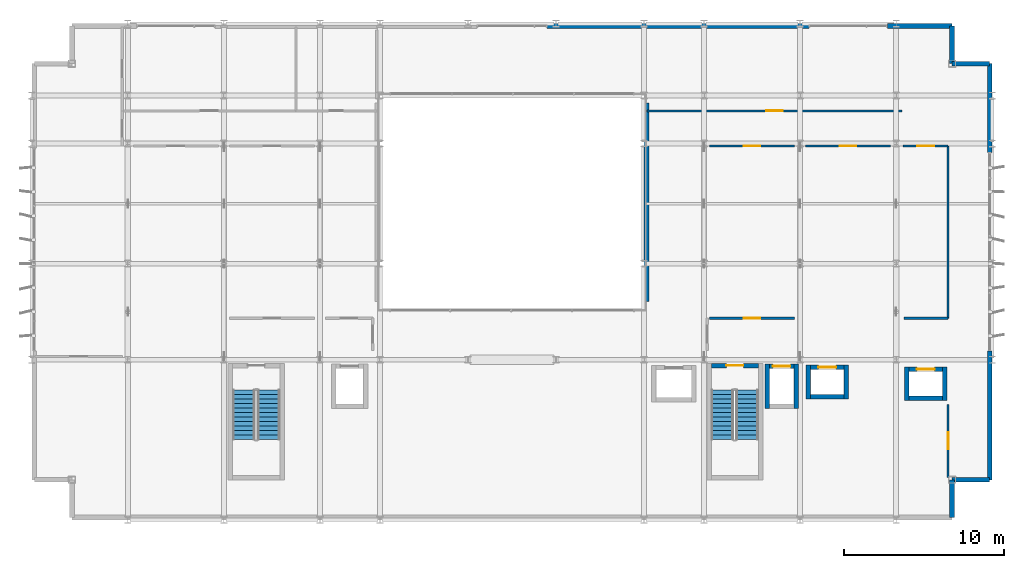
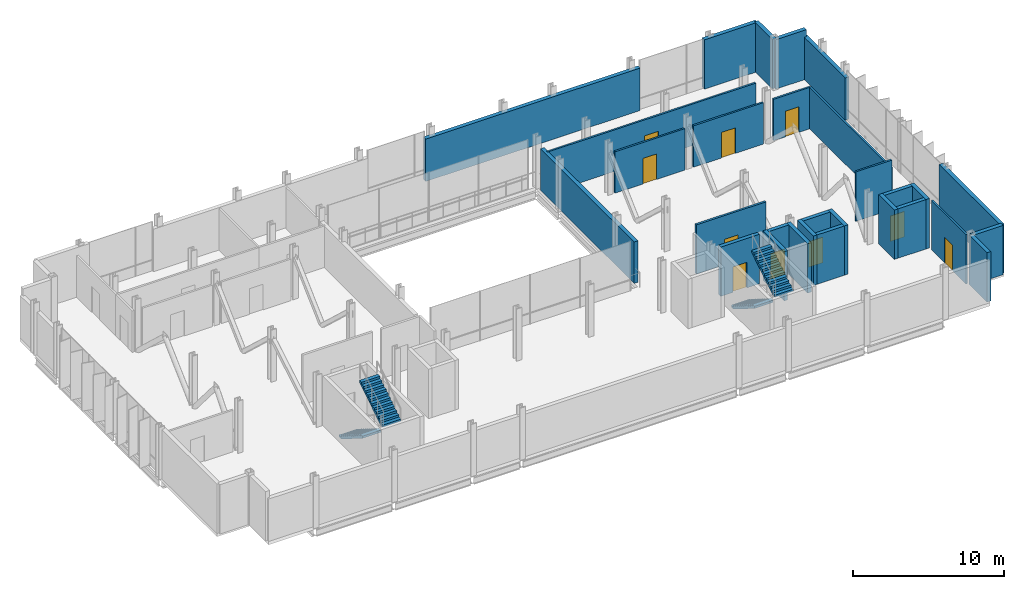
# One storey, part 27 of 32: 29 walls, 10 doors, 4 stair flights, 10 openings, 2 elements without a shape of their own.
"""IFC4 building model written with IfcOpenShell, lengths in metres."""

from ifc_helpers import new_model, si_unit, direction, frame, frame_2d, origin, place, context, subcontext, project, spatial, polyline, rectangle, outline, extrude, material, layer, layer_set, type_object, element, fill, aggregate, save


model = new_model("IFC4")

# Units and contexts
model_context = context("Model", 3, precision=1e-05, world=origin(), true_north=direction((0.0, 1.0)))
body_context = subcontext(model_context, "Body", "Model", "MODEL_VIEW")
ifc_project = project(units=[si_unit("LENGTHUNIT", "METRE"), si_unit("AREAUNIT", "SQUARE_METRE"), si_unit("VOLUMEUNIT", "CUBIC_METRE"), si_unit("PLANEANGLEUNIT", "RADIAN"), si_unit("MASSUNIT", "GRAM", prefix="KILO")], contexts=[model_context])

# Site, building, storey
site_placement = place(None, origin())
site = spatial("IfcSite", under=ifc_project, at=site_placement, CompositionType="ELEMENT")
building_placement = place(site_placement, origin())
building = spatial("IfcBuilding", under=site, at=building_placement, Name="Brevholm Reach", CompositionType="ELEMENT")
storey_placement = place(building_placement, frame((0.0, 0.0, 96.199951171875)))
storey = spatial("IfcBuildingStorey", under=building, at=storey_placement, Name="L28", CompositionType="ELEMENT", Elevation=96.199951171875)

# Wall, opening, door
ifc_material_1 = material(Name="Concrete C50/60", Category="concrete")
ifc_layer_1 = layer(ifc_material_1, 0.280029296875)
ifc_layer_set_1 = layer_set([ifc_layer_1], Name="Concrete C50/60")
wall_type_1 = type_object("IfcWallType", Name="WAL-COR-280", PredefinedType="SHEAR", material=ifc_layer_set_1)
wall_1_placement = place(storey_placement, frame((45.39990234375, 9.639892578125, 0.0), z_axis=(0.0, 0.0, 1.0), x_axis=(-1.0, 0.0, 0.0)))
wall_1 = element("IfcWall", 1, at=wall_1_placement, inside=storey, type_object=wall_type_1, Name="L28 Escape Stair ST-2 Core Wall N", PredefinedType="SHEAR", context=body_context, shape_type="SweptSolid", body=[
    extrude(rectangle(XDim=2.949951171875, YDim=0.280029296875, at=frame_2d((1.47509765625, 0.0))), origin(), (0.0, 0.0, 1.0), 3.97998046875),
])
opening_1_placement = place(wall_1_placement, frame((0.949951171875, 0.0, 0.0)))
opening_1 = element("IfcOpeningElement", 2, at=opening_1_placement, cuts=wall_1, Name="Opening SD-ST-2", PredefinedType="OPENING", context=body_context, shape_type="SweptSolid", body=[
    extrude(rectangle(XDim=1.050048828125, YDim=2.06005859375, at=frame_2d((0.52490234375, 1.030029296875))), frame((0.0, 0.14990234375, 0.0), z_axis=(0.0, -1.0, 0.0), x_axis=(1.0, 0.0, 0.0)), (0.0, 0.0, 1.0), 0.300048828125),
])
ifc_material_2 = material(Name="Hardwood-Lipped Steel-Core Fire and Smoke Door", Category="steel")
door_type_1 = type_object("IfcDoorType", Name="DOR-INT-FD60S", OperationType="NOTDEFINED", PredefinedType="DOOR", material=ifc_material_2)
door_1_placement = place(opening_1_placement, origin())
door_1 = element("IfcDoor", 3, at=door_1_placement, inside=storey, type_object=door_type_1, Name="L28 Protected Stair ST-2 Lobby Door", OperationType="SINGLE_SWING_LEFT", OverallHeight=2.06005859375, OverallWidth=1.050048828125, PredefinedType="DOOR", context=body_context, shape_type="SweptSolid", body=[
    extrude(rectangle(XDim=1.050048828125, YDim=2.06005859375, at=frame_2d((0.52490234375, 1.030029296875))), frame((0.0, 0.02490234375, 0.0), z_axis=(0.0, -1.0, 0.0), x_axis=(1.0, 0.0, 0.0)), (0.0, 0.0, 1.0), 0.050048828125),
])
fill(opening_1, door_1)

# Walls
for number, where, z_axis, x_axis, name in (
    (4, (45.949951171875, 6.9599609375, 0.0), (0.0, 0.0, 1.0), (0.0, 1.0, 0.0), "L28 Lift FFL-2 Shaft Wall W"),
    (5, (47.75, 6.9599609375, 0.0), (0.0, 0.0, 1.0), (0.0, 1.0, 0.0), "L28 Lift FFL-2 Shaft Wall E"),
):
    element("IfcWall", number, at=place(storey_placement, frame(where, z_axis=z_axis, x_axis=x_axis)), inside=storey, type_object=wall_type_1, Name=name, PredefinedType="SHEAR", context=body_context, shape_type="SweptSolid", body=[
        extrude(rectangle(XDim=2.780029296875, YDim=0.280029296875, at=frame_2d((1.39013671875, 0.0))), origin(), (0.0, 0.0, 1.0), 3.97998046875),
    ])

# Wall, opening, door
wall_2_placement = place(storey_placement, frame((46.090087890625, 9.60009765625, 0.0), z_axis=(0.0, 0.0, 1.0), x_axis=(1.0, 0.0, 0.0)))
wall_2 = element("IfcWall", 6, at=wall_2_placement, inside=storey, type_object=wall_type_1, Name="L28 Lift FFL-2 Shaft Wall N", PredefinedType="SHEAR", context=body_context, shape_type="SweptSolid", body=[
    extrude(rectangle(XDim=1.52001953125, YDim=0.280029296875, at=frame_2d((0.760009765625, 0.0))), origin(), (0.0, 0.0, 1.0), 3.97998046875),
])
opening_2_placement = place(wall_2_placement, frame((0.2099609375, 0.0, 0.0)))
opening_2 = element("IfcOpeningElement", 7, at=opening_2_placement, cuts=wall_2, Name="Opening LD-FFL-2", PredefinedType="OPENING", context=body_context, shape_type="SweptSolid", body=[
    extrude(rectangle(XDim=1.10009765625, YDim=2.06005859375, at=frame_2d((0.550048828125, 1.030029296875))), frame((0.0, 0.14990234375, 0.0), z_axis=(0.0, -1.0, 0.0), x_axis=(1.0, 0.0, 0.0)), (0.0, 0.0, 1.0), 0.300048828125),
])
ifc_material_3 = material(Name="Brushed Stainless Steel Fire-Rated Sliding Lift Door", Category="steel")
door_type_2 = type_object("IfcDoorType", Name="DOR-LFT-1100", OperationType="NOTDEFINED", PredefinedType="DOOR", material=ifc_material_3)
door_2_placement = place(opening_2_placement, origin())
door_2 = element("IfcDoor", 8, at=door_2_placement, inside=storey, type_object=door_type_2, Name="L28 Lift FFL-2 Sliding Landing Door", OperationType="SLIDING_TO_LEFT", OverallHeight=2.06005859375, OverallWidth=1.10009765625, PredefinedType="DOOR", context=body_context, shape_type="SweptSolid", body=[
    extrude(rectangle(XDim=1.10009765625, YDim=2.06005859375, at=frame_2d((0.550048828125, 1.030029296875))), frame((0.0, 0.02490234375, 0.0), z_axis=(0.0, -1.0, 0.0), x_axis=(1.0, 0.0, 0.0)), (0.0, 0.0, 1.0), 0.050048828125),
])
fill(opening_2, door_2)

# Walls
for number, where, z_axis, x_axis, name in (
    (9, (48.52490234375, 7.534912109375, 0.0), (0.0, 0.0, 1.0), (0.0, 1.0, 0.0), "L28 Lift PL-L1 Shaft Wall W"),
    (10, (50.875, 7.534912109375, 0.0), (0.0, 0.0, 1.0), (0.0, 1.0, 0.0), "L28 Lift PL-L1 Shaft Wall E"),
):
    element("IfcWall", number, at=place(storey_placement, frame(where, z_axis=z_axis, x_axis=x_axis)), inside=storey, type_object=wall_type_1, Name=name, PredefinedType="SHEAR", context=body_context, shape_type="SweptSolid", body=[
        extrude(rectangle(XDim=2.130126953125, YDim=0.280029296875, at=frame_2d((1.06494140625, 0.0))), origin(), (0.0, 0.0, 1.0), 3.97998046875),
    ])
wall_3_placement = place(storey_placement, frame((48.6650390625, 7.675048828125, 0.0), z_axis=(0.0, 0.0, 1.0), x_axis=(1.0, 0.0, 0.0)))
element("IfcWall", 11, at=wall_3_placement, inside=storey, type_object=wall_type_1, Name="L28 Lift PL-L1 Shaft Wall S", PredefinedType="SHEAR", context=body_context, shape_type="SweptSolid", body=[
    extrude(rectangle(XDim=2.070068359375, YDim=0.280029296875, at=frame_2d((1.03515625, 0.0))), origin(), (0.0, 0.0, 1.0), 3.97998046875),
])

# Wall, opening, door
wall_4_placement = place(storey_placement, frame((48.6650390625, 9.52490234375, 0.0), z_axis=(0.0, 0.0, 1.0), x_axis=(1.0, 0.0, 0.0)))
wall_4 = element("IfcWall", 12, at=wall_4_placement, inside=storey, type_object=wall_type_1, Name="L28 Lift PL-L1 Shaft Wall N", PredefinedType="SHEAR", context=body_context, shape_type="SweptSolid", body=[
    extrude(rectangle(XDim=2.070068359375, YDim=0.280029296875, at=frame_2d((1.03515625, 0.0))), origin(), (0.0, 0.0, 1.0), 3.97998046875),
])
opening_3_placement = place(wall_4_placement, frame((0.485107421875, 0.0, 0.0)))
opening_3 = element("IfcOpeningElement", 13, at=opening_3_placement, cuts=wall_4, Name="Opening LD-PL-L1", PredefinedType="OPENING", context=body_context, shape_type="SweptSolid", body=[
    extrude(rectangle(XDim=1.10009765625, YDim=2.06005859375, at=frame_2d((0.550048828125, 1.030029296875))), frame((0.0, 0.14990234375, 0.0), z_axis=(0.0, -1.0, 0.0), x_axis=(1.0, 0.0, 0.0)), (0.0, 0.0, 1.0), 0.300048828125),
])
door_3_placement = place(opening_3_placement, origin())
door_3 = element("IfcDoor", 14, at=door_3_placement, inside=storey, type_object=door_type_2, Name="L28 Lift PL-L1 Sliding Landing Door", OperationType="SLIDING_TO_RIGHT", OverallHeight=2.06005859375, OverallWidth=1.10009765625, PredefinedType="DOOR", context=body_context, shape_type="SweptSolid", body=[
    extrude(rectangle(XDim=1.10009765625, YDim=2.06005859375, at=frame_2d((0.550048828125, 1.030029296875))), frame((0.0, 0.02490234375, 0.0), z_axis=(0.0, -1.0, 0.0), x_axis=(1.0, 0.0, 0.0)), (0.0, 0.0, 1.0), 0.050048828125),
])
fill(opening_3, door_3)

# Walls
for number, where, z_axis, x_axis, name in (
    (15, (54.64990234375, 7.4599609375, 0.0), (0.0, 0.0, 1.0), (0.0, 1.0, 0.0), "L28 Lift PL-L2 Shaft Wall W"),
    (16, (57.050048828125, 7.4599609375, 0.0), (0.0, 0.0, 1.0), (0.0, 1.0, 0.0), "L28 Lift PL-L2 Shaft Wall E"),
):
    element("IfcWall", number, at=place(storey_placement, frame(where, z_axis=z_axis, x_axis=x_axis)), inside=storey, type_object=wall_type_1, Name=name, PredefinedType="SHEAR", context=body_context, shape_type="SweptSolid", body=[
        extrude(rectangle(XDim=2.080078125, YDim=0.280029296875, at=frame_2d((1.0400390625, 0.0))), origin(), (0.0, 0.0, 1.0), 3.97998046875),
    ])
wall_5_placement = place(storey_placement, frame((54.7900390625, 7.60009765625, 0.0), z_axis=(0.0, 0.0, 1.0), x_axis=(1.0, 0.0, 0.0)))
element("IfcWall", 17, at=wall_5_placement, inside=storey, type_object=wall_type_1, Name="L28 Lift PL-L2 Shaft Wall S", PredefinedType="SHEAR", context=body_context, shape_type="SweptSolid", body=[
    extrude(rectangle(XDim=2.119873046875, YDim=0.280029296875, at=frame_2d((1.06005859375, 0.0))), origin(), (0.0, 0.0, 1.0), 3.97998046875),
])

# Wall, opening, door
wall_6_placement = place(storey_placement, frame((54.7900390625, 9.39990234375, 0.0), z_axis=(0.0, 0.0, 1.0), x_axis=(1.0, 0.0, 0.0)))
wall_6 = element("IfcWall", 18, at=wall_6_placement, inside=storey, type_object=wall_type_1, Name="L28 Lift PL-L2 Shaft Wall N", PredefinedType="SHEAR", context=body_context, shape_type="SweptSolid", body=[
    extrude(rectangle(XDim=2.119873046875, YDim=0.280029296875, at=frame_2d((1.06005859375, 0.0))), origin(), (0.0, 0.0, 1.0), 3.97998046875),
])
opening_4_placement = place(wall_6_placement, frame((0.510009765625, 0.0, 0.0)))
opening_4 = element("IfcOpeningElement", 19, at=opening_4_placement, cuts=wall_6, Name="Opening LD-PL-L2", PredefinedType="OPENING", context=body_context, shape_type="SweptSolid", body=[
    extrude(rectangle(XDim=1.10009765625, YDim=2.06005859375, at=frame_2d((0.550048828125, 1.030029296875))), frame((0.0, 0.14990234375, 0.0), z_axis=(0.0, -1.0, 0.0), x_axis=(1.0, 0.0, 0.0)), (0.0, 0.0, 1.0), 0.300048828125),
])
door_4_placement = place(opening_4_placement, origin())
door_4 = element("IfcDoor", 20, at=door_4_placement, inside=storey, type_object=door_type_2, Name="L28 Lift PL-L2 Sliding Landing Door", OperationType="SLIDING_TO_LEFT", OverallHeight=2.06005859375, OverallWidth=1.10009765625, PredefinedType="DOOR", context=body_context, shape_type="SweptSolid", body=[
    extrude(rectangle(XDim=1.10009765625, YDim=2.06005859375, at=frame_2d((0.550048828125, 1.030029296875))), frame((0.0, 0.02490234375, 0.0), z_axis=(0.0, -1.0, 0.0), x_axis=(1.0, 0.0, 0.0)), (0.0, 0.0, 1.0), 0.050048828125),
])
fill(opening_4, door_4)

# Walls
ifc_material_4 = material(Name="Concrete C40/50", Category="concrete")
ifc_layer_2 = layer(ifc_material_4, 0.300048828125)
ifc_layer_set_2 = layer_set([ifc_layer_2], Name="Concrete C40/50")
wall_type_2 = type_object("IfcWallType", Name="WAL-EXT-300", PredefinedType="STANDARD", material=ifc_layer_set_2)
for number, where, z_axis, x_axis, name in (
    (21, (57.5, 0.14990234375, 0.0), (0.0, 0.0, 1.0), (0.0, 1.0, 0.0), "L28 Facade Wall WAL-L28-CSE1"),
    (22, (57.5, 2.5, 0.0), (0.0, 0.0, 1.0), (1.0, 0.0, 0.0), "L28 Facade Wall WAL-L28-CSE2"),
    (23, (59.85009765625, 28.5, 0.0), (0.0, 0.0, 1.0), (-1.0, 0.0, 0.0), "L28 Facade Wall WAL-L28-CNE1"),
    (24, (57.5, 28.5, 0.0), (0.0, 0.0, 1.0), (0.0, 1.0, 0.0), "L28 Facade Wall WAL-L28-CNE2"),
):
    element("IfcWall", number, at=place(storey_placement, frame(where, z_axis=z_axis, x_axis=x_axis)), inside=storey, type_object=wall_type_2, Name=name, PredefinedType="STANDARD", context=body_context, shape_type="SweptSolid", body=[
        extrude(rectangle(XDim=2.35009765625, YDim=0.300048828125, at=frame_2d((1.175048828125, 0.0))), origin(), (0.0, 0.0, 1.0), 3.97998046875),
    ])
wall_7_placement = place(storey_placement, frame((59.85009765625, 2.5, 0.0), z_axis=(0.0, 0.0, 1.0), x_axis=(0.0, 1.0, 0.0)))
element("IfcWall", 25, at=wall_7_placement, inside=storey, type_object=wall_type_2, Name="L28 Facade Wall WAL-L28-E-S", PredefinedType="STANDARD", context=body_context, shape_type="SweptSolid", body=[
    extrude(rectangle(XDim=8.050048828125, YDim=0.300048828125, at=frame_2d((4.02490234375, 0.0))), origin(), (0.0, 0.0, 1.0), 3.97998046875),
])
wall_8_placement = place(storey_placement, frame((59.85009765625, 22.949951171875, 0.0), z_axis=(0.0, 0.0, 1.0), x_axis=(0.0, 1.0, 0.0)))
element("IfcWall", 26, at=wall_8_placement, inside=storey, type_object=wall_type_2, Name="L28 Facade Wall WAL-L28-E-N", PredefinedType="STANDARD", context=body_context, shape_type="SweptSolid", body=[
    extrude(rectangle(XDim=5.550048828125, YDim=0.300048828125, at=frame_2d((2.77490234375, 0.0))), origin(), (0.0, 0.0, 1.0), 3.421875),
])
wall_9_placement = place(storey_placement, frame((53.449951171875, 30.85009765625, 0.0), z_axis=(0.0, 0.0, 1.0), x_axis=(1.0, 0.0, 0.0)))
element("IfcWall", 27, at=wall_9_placement, inside=storey, type_object=wall_type_2, Name="L28 Facade Wall WAL-L28-NP-E0", PredefinedType="STANDARD", context=body_context, shape_type="SweptSolid", body=[
    extrude(rectangle(XDim=4.050048828125, YDim=0.300048828125, at=frame_2d((2.02490234375, 0.0))), origin(), (0.0, 0.0, 1.0), 3.97998046875),
])
wall_10_placement = place(storey_placement, frame((32.199951171875, 30.85009765625, 0.0), z_axis=(0.0, 0.0, 1.0), x_axis=(1.0, 0.0, 0.0)))
element("IfcWall", 28, at=wall_10_placement, inside=storey, type_object=wall_type_2, Name="L28 Facade Wall WAL-L28-NP-ER", PredefinedType="STANDARD", context=body_context, shape_type="SweptSolid", body=[
    extrude(rectangle(XDim=16.35009765625, YDim=0.300048828125, at=frame_2d((8.175048828125, 0.0))), origin(), (0.0, 0.0, 1.0), 3.421875),
])
wall_11_placement = place(storey_placement, frame((38.39990234375, 13.64990234375, 0.0), z_axis=(0.0, 0.0, 1.0), x_axis=(0.0, 1.0, 0.0)))
element("IfcWall", 29, at=wall_11_placement, inside=storey, type_object=wall_type_2, Name="L28 Facade Wall WAL-L28-AT-E", PredefinedType="STANDARD", context=body_context, shape_type="SweptSolid", body=[
    extrude(rectangle(XDim=12.400146484375, YDim=0.300048828125, at=frame_2d((6.2001953125, 0.0))), origin(), (0.0, 0.0, 1.0), 3.3427734375),
])

# Wall, opening, door
ifc_material_5 = material(Name="Twin-Stud Acoustic Fire-Rated Gypsum Partition 140 mm", Category="gypsum")
ifc_layer_3 = layer(ifc_material_5, 0.139892578125)
ifc_layer_set_3 = layer_set([ifc_layer_3], Name="Twin-Stud Acoustic Fire-Rated Gypsum Partition 140 mm")
wall_type_3 = type_object("IfcWallType", Name="WAL-PRT-140", PredefinedType="PARTITIONING", material=ifc_layer_set_3)
wall_12_placement = place(storey_placement, frame((38.449951171875, 25.550048828125, 0.0), z_axis=(0.0, 0.0, 1.0), x_axis=(1.0, 0.0, 0.0)))
wall_12 = element("IfcWall", 30, at=wall_12_placement, inside=storey, type_object=wall_type_3, Name="L28 Internal Partition 011", PredefinedType="PARTITIONING", context=body_context, shape_type="SweptSolid", body=[
    extrude(rectangle(XDim=15.911376953125, YDim=0.139892578125, at=frame_2d((7.95556640625, 0.0))), origin(), (0.0, 0.0, 1.0), 3.3427734375),
])
opening_5_placement = place(wall_12_placement, frame((7.4306640625, 0.0, 0.0)))
opening_5 = element("IfcOpeningElement", 31, at=opening_5_placement, cuts=wall_12, Name="Opening FD-01", PredefinedType="OPENING", context=body_context, shape_type="SweptSolid", body=[
    extrude(rectangle(XDim=1.050048828125, YDim=2.06005859375, at=frame_2d((0.52490234375, 1.030029296875))), frame((0.0, 0.079833984375, 0.0), z_axis=(0.0, -1.0, 0.0), x_axis=(1.0, 0.0, 0.0)), (0.0, 0.0, 1.0), 0.159912109375),
])
door_5_placement = place(opening_5_placement, origin())
door_5 = element("IfcDoor", 32, at=door_5_placement, inside=storey, type_object=door_type_1, Name="L28 Internal Door 011", OperationType="SINGLE_SWING_LEFT", OverallHeight=2.06005859375, OverallWidth=1.050048828125, PredefinedType="DOOR", context=body_context, shape_type="SweptSolid", body=[
    extrude(rectangle(XDim=1.050048828125, YDim=2.06005859375, at=frame_2d((0.52490234375, 1.030029296875))), frame((0.0, 0.02490234375, 0.0), z_axis=(0.0, -1.0, 0.0), x_axis=(1.0, 0.0, 0.0)), (0.0, 0.0, 1.0), 0.050048828125),
])
fill(opening_5, door_5)

wall_13_placement = place(storey_placement, frame((42.338623046875, 23.35009765625, 0.0), z_axis=(0.0, 0.0, 1.0), x_axis=(1.0, 0.0, 0.0)))
wall_13 = element("IfcWall", 33, at=wall_13_placement, inside=storey, type_object=wall_type_3, Name="L28 Internal Partition 012", PredefinedType="PARTITIONING", context=body_context, shape_type="SweptSolid", body=[
    extrude(rectangle(XDim=5.32275390625, YDim=0.139892578125, at=frame_2d((2.661376953125, 0.0))), origin(), (0.0, 0.0, 1.0), 3.3427734375),
])
opening_6_placement = place(wall_13_placement, frame((2.13623046875, 0.0, 0.0)))
opening_6 = element("IfcOpeningElement", 34, at=opening_6_placement, cuts=wall_13, Name="Opening FD-01", PredefinedType="OPENING", context=body_context, shape_type="SweptSolid", body=[
    extrude(rectangle(XDim=1.050048828125, YDim=2.06005859375, at=frame_2d((0.52490234375, 1.030029296875))), frame((0.0, 0.079833984375, 0.0), z_axis=(0.0, -1.0, 0.0), x_axis=(1.0, 0.0, 0.0)), (0.0, 0.0, 1.0), 0.159912109375),
])
door_6_placement = place(opening_6_placement, origin())
door_6 = element("IfcDoor", 35, at=door_6_placement, inside=storey, type_object=door_type_1, Name="L28 Internal Door 012", OperationType="SINGLE_SWING_RIGHT", OverallHeight=2.06005859375, OverallWidth=1.050048828125, PredefinedType="DOOR", context=body_context, shape_type="SweptSolid", body=[
    extrude(rectangle(XDim=1.050048828125, YDim=2.06005859375, at=frame_2d((0.52490234375, 1.030029296875))), frame((0.0, 0.02490234375, 0.0), z_axis=(0.0, -1.0, 0.0), x_axis=(1.0, 0.0, 0.0)), (0.0, 0.0, 1.0), 0.050048828125),
])
fill(opening_6, door_6)

wall_14_placement = place(storey_placement, frame((48.338623046875, 23.35009765625, 0.0), z_axis=(0.0, 0.0, 1.0), x_axis=(1.0, 0.0, 0.0)))
wall_14 = element("IfcWall", 36, at=wall_14_placement, inside=storey, type_object=wall_type_3, Name="L28 Internal Partition 013", PredefinedType="PARTITIONING", context=body_context, shape_type="SweptSolid", body=[
    extrude(rectangle(XDim=5.32275390625, YDim=0.139892578125, at=frame_2d((2.661376953125, 0.0))), origin(), (0.0, 0.0, 1.0), 3.3427734375),
])
opening_7_placement = place(wall_14_placement, frame((2.13623046875, 0.0, 0.0)))
opening_7 = element("IfcOpeningElement", 37, at=opening_7_placement, cuts=wall_14, Name="Opening FD-01", PredefinedType="OPENING", context=body_context, shape_type="SweptSolid", body=[
    extrude(rectangle(XDim=1.050048828125, YDim=2.06005859375, at=frame_2d((0.52490234375, 1.030029296875))), frame((0.0, 0.079833984375, 0.0), z_axis=(0.0, -1.0, 0.0), x_axis=(1.0, 0.0, 0.0)), (0.0, 0.0, 1.0), 0.159912109375),
])
door_7_placement = place(opening_7_placement, origin())
door_7 = element("IfcDoor", 38, at=door_7_placement, inside=storey, type_object=door_type_1, Name="L28 Internal Door 013", OperationType="SINGLE_SWING_LEFT", OverallHeight=2.06005859375, OverallWidth=1.050048828125, PredefinedType="DOOR", context=body_context, shape_type="SweptSolid", body=[
    extrude(rectangle(XDim=1.050048828125, YDim=2.06005859375, at=frame_2d((0.52490234375, 1.030029296875))), frame((0.0, 0.02490234375, 0.0), z_axis=(0.0, -1.0, 0.0), x_axis=(1.0, 0.0, 0.0)), (0.0, 0.0, 1.0), 0.050048828125),
])
fill(opening_7, door_7)

wall_15_placement = place(storey_placement, frame((54.438720703125, 23.35009765625, 0.0), z_axis=(0.0, 0.0, 1.0), x_axis=(1.0, 0.0, 0.0)))
wall_15 = element("IfcWall", 39, at=wall_15_placement, inside=storey, type_object=wall_type_3, Name="L28 Internal Partition 014", PredefinedType="PARTITIONING", context=body_context, shape_type="SweptSolid", body=[
    extrude(rectangle(XDim=2.818603515625, YDim=0.139892578125, at=frame_2d((1.4091796875, 0.0))), origin(), (0.0, 0.0, 1.0), 3.3427734375),
])
opening_8_placement = place(wall_15_placement, frame((0.88427734375, 0.0, 0.0)))
opening_8 = element("IfcOpeningElement", 40, at=opening_8_placement, cuts=wall_15, Name="Opening FD-01", PredefinedType="OPENING", context=body_context, shape_type="SweptSolid", body=[
    extrude(rectangle(XDim=1.050048828125, YDim=2.06005859375, at=frame_2d((0.52490234375, 1.030029296875))), frame((0.0, 0.079833984375, 0.0), z_axis=(0.0, -1.0, 0.0), x_axis=(1.0, 0.0, 0.0)), (0.0, 0.0, 1.0), 0.159912109375),
])
door_8_placement = place(opening_8_placement, origin())
door_8 = element("IfcDoor", 41, at=door_8_placement, inside=storey, type_object=door_type_1, Name="L28 Internal Door 014", OperationType="SINGLE_SWING_RIGHT", OverallHeight=2.06005859375, OverallWidth=1.050048828125, PredefinedType="DOOR", context=body_context, shape_type="SweptSolid", body=[
    extrude(rectangle(XDim=1.050048828125, YDim=2.06005859375, at=frame_2d((0.52490234375, 1.030029296875))), frame((0.0, 0.02490234375, 0.0), z_axis=(0.0, -1.0, 0.0), x_axis=(1.0, 0.0, 0.0)), (0.0, 0.0, 1.0), 0.050048828125),
])
fill(opening_8, door_8)

# Wall
wall_16_placement = place(storey_placement, frame((57.25, 12.5927734375, 0.0), z_axis=(0.0, 0.0, 1.0), x_axis=(0.0, 1.0, 0.0)))
element("IfcWall", 42, at=wall_16_placement, inside=storey, type_object=wall_type_3, Name="L28 Internal Partition 015", PredefinedType="PARTITIONING", context=body_context, shape_type="SweptSolid", body=[
    extrude(rectangle(XDim=10.753173828125, YDim=0.139892578125, at=frame_2d((5.37646484375, 0.0))), origin(), (0.0, 0.0, 1.0), 3.3427734375),
])

# Wall, opening, door
wall_17_placement = place(storey_placement, frame((57.25, 2.64990234375, 0.0), z_axis=(0.0, 0.0, 1.0), x_axis=(0.0, 1.0, 0.0)))
wall_17 = element("IfcWall", 43, at=wall_17_placement, inside=storey, type_object=wall_type_3, Name="L28 Internal Partition 016", PredefinedType="PARTITIONING", context=body_context, shape_type="SweptSolid", body=[
    extrude(rectangle(XDim=4.561279296875, YDim=0.139892578125, at=frame_2d((2.28076171875, 0.0))), origin(), (0.0, 0.0, 1.0), 3.97998046875),
])
opening_9_placement = place(wall_17_placement, frame((1.755615234375, 0.0, 0.0)))
opening_9 = element("IfcOpeningElement", 44, at=opening_9_placement, cuts=wall_17, Name="Opening FD-01", PredefinedType="OPENING", context=body_context, shape_type="SweptSolid", body=[
    extrude(rectangle(XDim=1.050048828125, YDim=2.06005859375, at=frame_2d((0.52490234375, 1.030029296875))), frame((0.0, 0.079833984375, 0.0), z_axis=(0.0, -1.0, 0.0), x_axis=(1.0, 0.0, 0.0)), (0.0, 0.0, 1.0), 0.159912109375),
])
door_9_placement = place(opening_9_placement, origin())
door_9 = element("IfcDoor", 45, at=door_9_placement, inside=storey, type_object=door_type_1, Name="L28 Internal Door 015", OperationType="SINGLE_SWING_LEFT", OverallHeight=2.06005859375, OverallWidth=1.050048828125, PredefinedType="DOOR", context=body_context, shape_type="SweptSolid", body=[
    extrude(rectangle(XDim=1.050048828125, YDim=2.06005859375, at=frame_2d((0.52490234375, 1.030029296875))), frame((0.0, 0.02490234375, 0.0), z_axis=(0.0, -1.0, 0.0), x_axis=(1.0, 0.0, 0.0)), (0.0, 0.0, 1.0), 0.050048828125),
])
fill(opening_9, door_9)

# Wall
wall_18_placement = place(storey_placement, frame((54.5, 12.60009765625, 0.0), z_axis=(0.0, 0.0, 1.0), x_axis=(1.0, 0.0, 0.0)))
element("IfcWall", 46, at=wall_18_placement, inside=storey, type_object=wall_type_3, Name="L28 Internal Partition 017", PredefinedType="PARTITIONING", context=body_context, shape_type="SweptSolid", body=[
    extrude(rectangle(XDim=2.74609375, YDim=0.139892578125, at=frame_2d((1.373046875, 0.0))), origin(), (0.0, 0.0, 1.0), 3.97998046875),
])

# Wall, opening, door
ifc_material_6 = material(Name="Twin-Frame Fire-Rated Gypsum Board and Mineral Wool 160 mm", Category="gypsum")
ifc_layer_4 = layer(ifc_material_6, 0.159912109375)
ifc_layer_set_4 = layer_set([ifc_layer_4], Name="Twin-Frame Fire-Rated Gypsum Board and Mineral Wool 160 mm")
wall_type_4 = type_object("IfcWallType", Name="WAL-PRT-160", PredefinedType="PARTITIONING", material=ifc_layer_set_4)
wall_19_placement = place(storey_placement, frame((42.338623046875, 12.60009765625, 0.0), z_axis=(0.0, 0.0, 1.0), x_axis=(1.0, 0.0, 0.0)))
wall_19 = element("IfcWall", 47, at=wall_19_placement, inside=storey, type_object=wall_type_4, Name="L28 Internal Partition 004", PredefinedType="PARTITIONING", context=body_context, shape_type="SweptSolid", body=[
    extrude(rectangle(XDim=5.32275390625, YDim=0.159912109375, at=frame_2d((2.661376953125, 0.0))), origin(), (0.0, 0.0, 1.0), 3.97998046875),
])
opening_10_placement = place(wall_19_placement, frame((2.13623046875, 0.0, 0.0)))
opening_10 = element("IfcOpeningElement", 48, at=opening_10_placement, cuts=wall_19, Name="Opening FD-01", PredefinedType="OPENING", context=body_context, shape_type="SweptSolid", body=[
    extrude(rectangle(XDim=1.050048828125, YDim=2.06005859375, at=frame_2d((0.52490234375, 1.030029296875))), frame((0.0, 0.08984375, 0.0), z_axis=(0.0, -1.0, 0.0), x_axis=(1.0, 0.0, 0.0)), (0.0, 0.0, 1.0), 0.179931640625),
])
door_10_placement = place(opening_10_placement, origin())
door_10 = element("IfcDoor", 49, at=door_10_placement, inside=storey, type_object=door_type_1, Name="L28 Internal Door 004", OperationType="SINGLE_SWING_RIGHT", OverallHeight=2.06005859375, OverallWidth=1.050048828125, PredefinedType="DOOR", context=body_context, shape_type="SweptSolid", body=[
    extrude(rectangle(XDim=1.050048828125, YDim=2.06005859375, at=frame_2d((0.52490234375, 1.030029296875))), frame((0.0, 0.02490234375, 0.0), z_axis=(0.0, -1.0, 0.0), x_axis=(1.0, 0.0, 0.0)), (0.0, 0.0, 1.0), 0.050048828125),
])
fill(opening_10, door_10)

# Stair, stair flights
ifc_material_7 = material(Name="Precast Concrete C40/50", Category="concrete")
stair_type = type_object("IfcStairType", Name="STR-ESC-1400", PredefinedType="DOUBLE_RETURN_STAIR", material=ifc_material_7)
stair_1_placement = place(storey_placement, origin())
stair_1 = element("IfcStair", 50, at=stair_1_placement, inside=storey, type_object=stair_type, Name="L28 ST-1", PredefinedType="DOUBLE_RETURN_STAIR")
ifc_material_8 = material(Name="Precast Concrete C40/50", Category="concrete")
ifc_layer_5 = layer(ifc_material_8, 0.18505859375)
ifc_layer_set_5 = layer_set([ifc_layer_5], Name="Precast Concrete C40/50")
stair_flight_type = type_object("IfcStairFlightType", Name="STF-PRC-185", PredefinedType="STRAIGHT", material=ifc_layer_set_5)
stair_flight_1_placement = place(storey_placement, frame((13.25, 8.10009765625, 0.0), z_axis=(0.0, 0.0, 1.0), x_axis=(0.0, -1.0, 0.0)))
stair_flight_1 = element("IfcStairFlight", 51, at=stair_flight_1_placement, type_object=stair_flight_type, Name="ST-1 flight 1", NumberOfRisers=12, NumberOfTreads=11, PredefinedType="STRAIGHT", RiserHeight=0.175, TreadLength=0.28, context=body_context, shape_type="SweptSolid", body=[
    extrude(outline(polyline([(0.0, 0.0), (0.0, 0.175048828125), (0.280029296875, 0.175048828125), (0.280029296875, 0.35009765625), (0.56005859375, 0.35009765625), (0.56005859375, 0.52490234375), (0.840087890625, 0.52490234375), (0.840087890625, 0.699951171875), (1.1201171875, 0.699951171875), (1.1201171875, 0.875), (1.39990234375, 0.875), (1.39990234375, 1.050048828125), (1.679931640625, 1.050048828125), (1.679931640625, 1.22509765625), (1.9599609375, 1.22509765625), (1.9599609375, 1.39990234375), (2.239990234375, 1.39990234375), (2.239990234375, 1.574951171875), (2.52001953125, 1.574951171875), (2.52001953125, 1.75), (2.800048828125, 1.75), (2.800048828125, 1.925048828125), (3.080078125, 1.925048828125), (3.080078125, 2.10009765625), (3.080078125, 1.748291015625), (0.28271484375, 0.0), (0.0, 0.0)])), frame((0.0, 0.699951171875, 0.0), z_axis=(0.0, -1.0, 0.0), x_axis=(1.0, 0.0, 0.0)), (0.0, 0.0, 1.0), 1.39990234375),
])
stair_flight_2_placement = place(storey_placement, frame((14.800048828125, 5.02001953125, 2.10009765625), z_axis=(0.0, 0.0, 1.0), x_axis=(0.0, 1.0, 0.0)))
stair_flight_2 = element("IfcStairFlight", 52, at=stair_flight_2_placement, type_object=stair_flight_type, Name="ST-1 flight 2", NumberOfRisers=12, NumberOfTreads=11, PredefinedType="STRAIGHT", RiserHeight=0.175, TreadLength=0.28, context=body_context, shape_type="SweptSolid", body=[
    extrude(outline(polyline([(0.0, 0.0), (0.0, 0.175048828125), (0.280029296875, 0.175048828125), (0.280029296875, 0.35009765625), (0.56005859375, 0.35009765625), (0.56005859375, 0.52490234375), (0.840087890625, 0.52490234375), (0.840087890625, 0.699951171875), (1.1201171875, 0.699951171875), (1.1201171875, 0.875), (1.39990234375, 0.875), (1.39990234375, 1.050048828125), (1.679931640625, 1.050048828125), (1.679931640625, 1.22509765625), (1.9599609375, 1.22509765625), (1.9599609375, 1.39990234375), (2.239990234375, 1.39990234375), (2.239990234375, 1.574951171875), (2.52001953125, 1.574951171875), (2.52001953125, 1.75), (2.800048828125, 1.75), (2.800048828125, 1.925048828125), (3.080078125, 1.925048828125), (3.080078125, 2.10009765625), (3.080078125, 1.748291015625), (0.28271484375, 0.0), (0.0, 0.0)])), frame((0.0, 0.699951171875, 0.0), z_axis=(0.0, -1.0, 0.0), x_axis=(1.0, 0.0, 0.0)), (0.0, 0.0, 1.0), 1.39990234375),
])
aggregate(stair_1, [stair_flight_1, stair_flight_2])

stair_2_placement = place(storey_placement, origin())
stair_2 = element("IfcStair", 53, at=stair_2_placement, inside=storey, type_object=stair_type, Name="L28 ST-2", PredefinedType="DOUBLE_RETURN_STAIR")
stair_flight_3_placement = place(storey_placement, frame((43.14990234375, 8.10009765625, 0.0), z_axis=(0.0, 0.0, 1.0), x_axis=(0.0, -1.0, 0.0)))
stair_flight_3 = element("IfcStairFlight", 54, at=stair_flight_3_placement, type_object=stair_flight_type, Name="ST-2 flight 1", NumberOfRisers=12, NumberOfTreads=11, PredefinedType="STRAIGHT", RiserHeight=0.175, TreadLength=0.28, context=body_context, shape_type="SweptSolid", body=[
    extrude(outline(polyline([(0.0, 0.0), (0.0, 0.175048828125), (0.280029296875, 0.175048828125), (0.280029296875, 0.35009765625), (0.56005859375, 0.35009765625), (0.56005859375, 0.52490234375), (0.840087890625, 0.52490234375), (0.840087890625, 0.699951171875), (1.1201171875, 0.699951171875), (1.1201171875, 0.875), (1.39990234375, 0.875), (1.39990234375, 1.050048828125), (1.679931640625, 1.050048828125), (1.679931640625, 1.22509765625), (1.9599609375, 1.22509765625), (1.9599609375, 1.39990234375), (2.239990234375, 1.39990234375), (2.239990234375, 1.574951171875), (2.52001953125, 1.574951171875), (2.52001953125, 1.75), (2.800048828125, 1.75), (2.800048828125, 1.925048828125), (3.080078125, 1.925048828125), (3.080078125, 2.10009765625), (3.080078125, 1.748291015625), (0.28271484375, 0.0), (0.0, 0.0)])), frame((0.0, 0.699951171875, 0.0), z_axis=(0.0, -1.0, 0.0), x_axis=(1.0, 0.0, 0.0)), (0.0, 0.0, 1.0), 1.39990234375),
])
stair_flight_4_placement = place(storey_placement, frame((44.699951171875, 5.02001953125, 2.10009765625), z_axis=(0.0, 0.0, 1.0), x_axis=(0.0, 1.0, 0.0)))
stair_flight_4 = element("IfcStairFlight", 55, at=stair_flight_4_placement, type_object=stair_flight_type, Name="ST-2 flight 2", NumberOfRisers=12, NumberOfTreads=11, PredefinedType="STRAIGHT", RiserHeight=0.175, TreadLength=0.28, context=body_context, shape_type="SweptSolid", body=[
    extrude(outline(polyline([(0.0, 0.0), (0.0, 0.175048828125), (0.280029296875, 0.175048828125), (0.280029296875, 0.35009765625), (0.56005859375, 0.35009765625), (0.56005859375, 0.52490234375), (0.840087890625, 0.52490234375), (0.840087890625, 0.699951171875), (1.1201171875, 0.699951171875), (1.1201171875, 0.875), (1.39990234375, 0.875), (1.39990234375, 1.050048828125), (1.679931640625, 1.050048828125), (1.679931640625, 1.22509765625), (1.9599609375, 1.22509765625), (1.9599609375, 1.39990234375), (2.239990234375, 1.39990234375), (2.239990234375, 1.574951171875), (2.52001953125, 1.574951171875), (2.52001953125, 1.75), (2.800048828125, 1.75), (2.800048828125, 1.925048828125), (3.080078125, 1.925048828125), (3.080078125, 2.10009765625), (3.080078125, 1.748291015625), (0.28271484375, 0.0), (0.0, 0.0)])), frame((0.0, 0.699951171875, 0.0), z_axis=(0.0, -1.0, 0.0), x_axis=(1.0, 0.0, 0.0)), (0.0, 0.0, 1.0), 1.39990234375),
])
aggregate(stair_2, [stair_flight_3, stair_flight_4])

save(model, "model.ifc")
